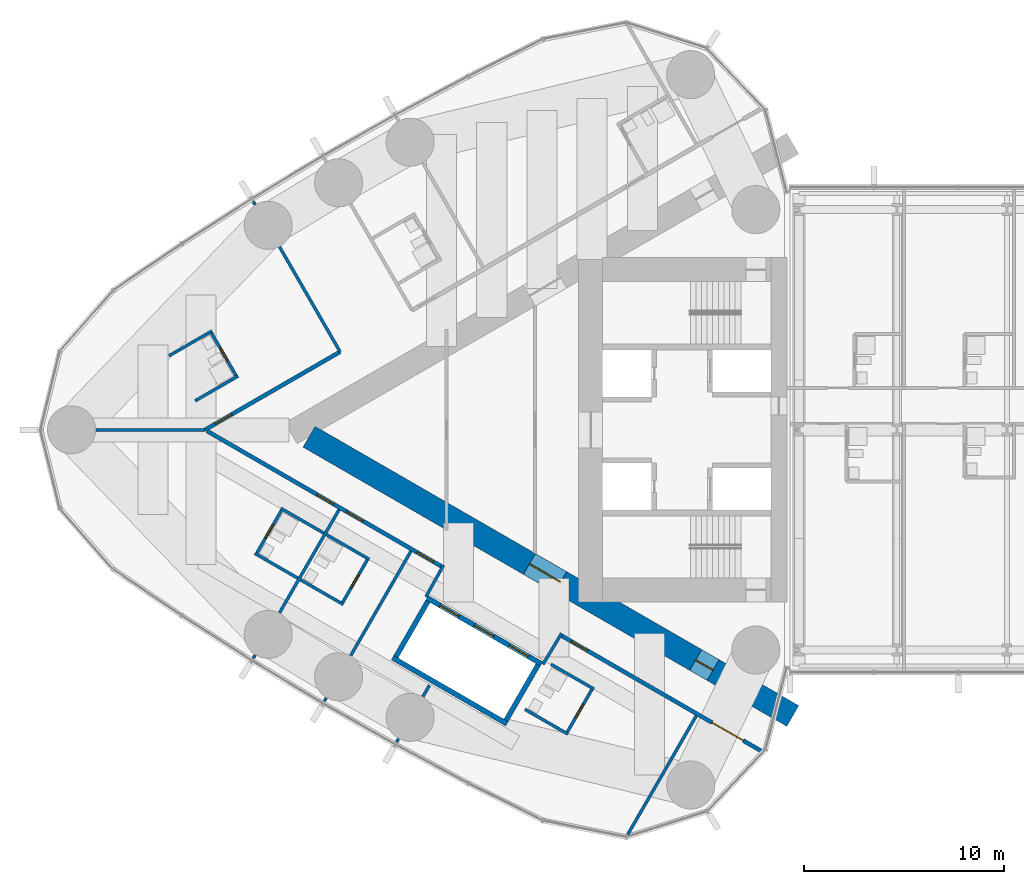
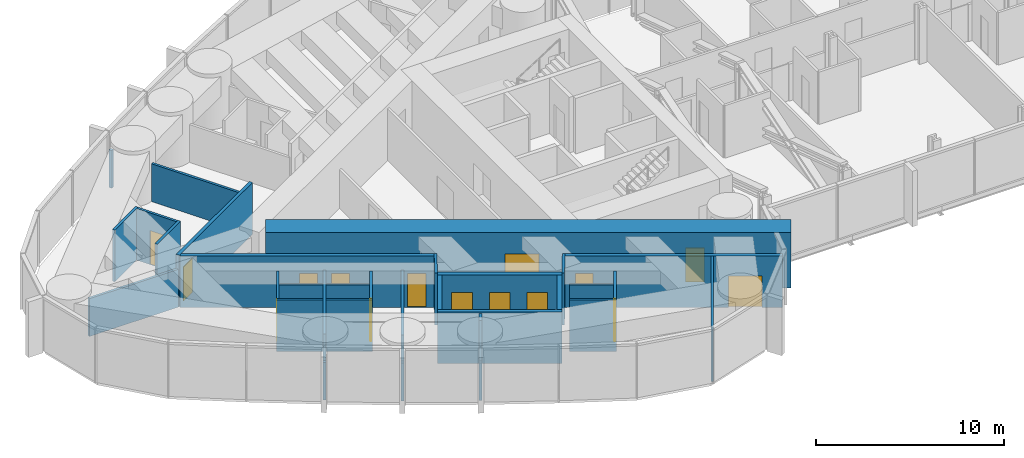
# One storey, part 14 of 22: 32 walls, 15 doors, 15 openings.
"""IFC4 building model written with IfcOpenShell, lengths in metres."""

from ifc_helpers import new_model, si_unit, direction, frame, frame_2d, origin, place, context, subcontext, project, spatial, rectangle, extrude, material, layer, layer_set, type_object, element, fill, save


model = new_model("IFC4")

# Units and contexts
model_context = context("Model", 3, precision=1e-05, world=origin(), true_north=direction((0.0, 1.0)))
body_context = subcontext(model_context, "Body", "Model", "MODEL_VIEW")
ifc_project = project(units=[si_unit("LENGTHUNIT", "METRE"), si_unit("AREAUNIT", "SQUARE_METRE"), si_unit("VOLUMEUNIT", "CUBIC_METRE"), si_unit("PLANEANGLEUNIT", "RADIAN"), si_unit("MASSUNIT", "GRAM", prefix="KILO")], contexts=[model_context])

# Site, building, storey
site_placement = place(None, origin())
site = spatial("IfcSite", under=ifc_project, at=site_placement, CompositionType="ELEMENT")
building_placement = place(site_placement, origin())
building = spatial("IfcBuilding", under=site, at=building_placement, Name="Lancet Gate Hotel", CompositionType="ELEMENT")
storey_placement = place(building_placement, frame((0.0, 0.0, 226.10009765625)))
storey = spatial("IfcBuildingStorey", under=building, at=storey_placement, Name="L60", CompositionType="ELEMENT", Elevation=226.10009765625)

# Wall
ifc_material_1 = material(Name="Moisture resistant board partition")
ifc_layer_1 = layer(ifc_material_1, 0.14990234375)
ifc_layer_set_1 = layer_set([ifc_layer_1], Name="Bathroom wall 150")
wall_type_1 = type_object("IfcWallType", Name="Bathroom wall 150", PredefinedType="PARTITIONING", material=ifc_layer_set_1)
wall_1_placement = place(storey_placement, frame((-56.215087890625, 4.938232421875, 0.0), z_axis=(0.0, 0.0, 1.0), x_axis=(-0.866006523861, -0.500032699561, 0.0)))
element("IfcWall", 1, at=wall_1_placement, inside=storey, type_object=wall_type_1, Name="T1 bathroom wall 150 L60", PredefinedType="PARTITIONING", context=body_context, shape_type="SweptSolid", body=[
    extrude(rectangle(XDim=2.474853515625, YDim=0.14990234375, at=frame_2d((1.2373046875, 0.0))), origin(), (0.0, 0.0, 1.0), 3.349853515625),
])

# Wall, opening, door
wall_2_placement = place(storey_placement, frame((-54.97998046875, 2.64892578125, 0.0), z_axis=(0.0, 0.0, 1.0), x_axis=(-0.500006934395, 0.866021400173, 0.0)))
wall_2 = element("IfcWall", 2, at=wall_2_placement, inside=storey, type_object=wall_type_1, Name="T1 bathroom wall 150 L60", PredefinedType="PARTITIONING", context=body_context, shape_type="SweptSolid", body=[
    extrude(rectangle(XDim=2.60009765625, YDim=0.14990234375, at=frame_2d((1.300048828125, 0.0))), origin(), (0.0, 0.0, 1.0), 3.349853515625),
])
opening_1_placement = place(wall_2_placement, frame((0.89990234375, 0.0, 0.0)))
opening_1 = element("IfcOpeningElement", 3, at=opening_1_placement, cuts=wall_2, Name="Opening 6005-B", PredefinedType="OPENING", context=body_context, shape_type="SweptSolid", body=[
    extrude(rectangle(XDim=0.800048828125, YDim=2.199951171875, at=frame_2d((0.39990234375, 1.10009765625))), frame((0.0, 0.0849609375, 0.0), z_axis=(0.0, -1.0, 0.0), x_axis=(1.0, 0.0, 0.0)), (0.0, 0.0, 1.0), 0.169921875),
])
ifc_material_2 = material(Name="Timber door set", Category="wood")
door_type_1 = type_object("IfcDoorType", Name="Bathroom door 800", OperationType="SINGLE_SWING_RIGHT", PredefinedType="DOOR", material=ifc_material_2)
door_1_placement = place(opening_1_placement, origin())
door_1 = element("IfcDoor", 4, at=door_1_placement, inside=storey, type_object=door_type_1, Name="6005-B", OperationType="SINGLE_SWING_RIGHT", OverallHeight=2.199951171875, OverallWidth=0.800048828125, PredefinedType="DOOR", context=body_context, shape_type="SweptSolid", body=[
    extrude(rectangle(XDim=0.800048828125, YDim=2.199951171875, at=frame_2d((0.39990234375, 1.10009765625))), frame((0.0, 0.02490234375, 0.0), z_axis=(0.0, -1.0, 0.0), x_axis=(1.0, 0.0, 0.0)), (0.0, 0.0, 1.0), 0.050048828125),
])
fill(opening_1, door_1)

# Walls
for number, where, z_axis, x_axis, name in (
    (5, (-54.9150390625, 2.6865234375, 0.0), (0.0, 0.0, 1.0), (-0.866006523861, -0.500032699561, 0.0), "T1 bathroom wall 150 L60"),
    (6, (-51.931396484375, -7.411376953125, 0.0), (0.0, 0.0, 1.0), (-0.866006523861, 0.500032699561, 0.0), "T1 bathroom wall 150 L60"),
):
    element("IfcWall", number, at=place(storey_placement, frame(where, z_axis=z_axis, x_axis=x_axis)), inside=storey, type_object=wall_type_1, Name=name, PredefinedType="PARTITIONING", context=body_context, shape_type="SweptSolid", body=[
        extrude(rectangle(XDim=2.474853515625, YDim=0.14990234375, at=frame_2d((1.2373046875, 0.0))), origin(), (0.0, 0.0, 1.0), 3.349853515625),
    ])

# Wall, opening, door
wall_3_placement = place(storey_placement, frame((-52.709716796875, -3.959716796875, 0.0), z_axis=(0.0, 0.0, 1.0), x_axis=(-0.500006934395, -0.866021400173, 0.0)))
wall_3 = element("IfcWall", 7, at=wall_3_placement, inside=storey, type_object=wall_type_1, Name="T1 bathroom wall 150 L60", PredefinedType="PARTITIONING", context=body_context, shape_type="SweptSolid", body=[
    extrude(rectangle(XDim=2.60009765625, YDim=0.14990234375, at=frame_2d((1.300048828125, 0.0))), origin(), (0.0, 0.0, 1.0), 3.349853515625),
])
opening_2_placement = place(wall_3_placement, frame((0.89990234375, 0.0, 0.0)))
opening_2 = element("IfcOpeningElement", 8, at=opening_2_placement, cuts=wall_3, Name="Opening 6006-B", PredefinedType="OPENING", context=body_context, shape_type="SweptSolid", body=[
    extrude(rectangle(XDim=0.800048828125, YDim=2.199951171875, at=frame_2d((0.39990234375, 1.10009765625))), frame((0.0, 0.0849609375, 0.0), z_axis=(0.0, -1.0, 0.0), x_axis=(1.0, 0.0, 0.0)), (0.0, 0.0, 1.0), 0.169921875),
])
door_2_placement = place(opening_2_placement, origin())
door_2 = element("IfcDoor", 9, at=door_2_placement, inside=storey, type_object=door_type_1, Name="6006-B", OperationType="SINGLE_SWING_RIGHT", OverallHeight=2.199951171875, OverallWidth=0.800048828125, PredefinedType="DOOR", context=body_context, shape_type="SweptSolid", body=[
    extrude(rectangle(XDim=0.800048828125, YDim=2.199951171875, at=frame_2d((0.39990234375, 1.10009765625))), frame((0.0, 0.02490234375, 0.0), z_axis=(0.0, -1.0, 0.0), x_axis=(1.0, 0.0, 0.0)), (0.0, 0.0, 1.0), 0.050048828125),
])
fill(opening_2, door_2)

# Walls
wall_4_placement = place(storey_placement, frame((-50.63134765625, -5.15966796875, 0.0), z_axis=(0.0, 0.0, 1.0), x_axis=(-0.86604923931, 0.499958713387, 0.0)))
element("IfcWall", 10, at=wall_4_placement, inside=storey, type_object=wall_type_1, Name="T1 bathroom wall 150 L60", PredefinedType="PARTITIONING", context=body_context, shape_type="SweptSolid", body=[
    extrude(rectangle(XDim=2.474853515625, YDim=0.14990234375, at=frame_2d((1.2373046875, 0.0))), origin(), (0.0, 0.0, 1.0), 2.5),
])
wall_5_placement = place(storey_placement, frame((-49.657958984375, -8.723876953125, 0.0), z_axis=(0.0, 0.0, 1.0), x_axis=(-0.866031185235, 0.4999899861, 0.0)))
element("IfcWall", 11, at=wall_5_placement, inside=storey, type_object=wall_type_1, Name="T1 bathroom wall 150 L60", PredefinedType="PARTITIONING", context=body_context, shape_type="SweptSolid", body=[
    extrude(rectangle(XDim=2.47509765625, YDim=0.14990234375, at=frame_2d((1.237548828125, 0.0))), origin(), (0.0, 0.0, 1.0), 3.349853515625),
])

# Wall, opening, door
wall_6_placement = place(storey_placement, frame((-48.4228515625, -6.434814453125, 0.0), z_axis=(0.0, 0.0, 1.0), x_axis=(-0.500006934395, -0.866021400173, 0.0)))
wall_6 = element("IfcWall", 12, at=wall_6_placement, inside=storey, type_object=wall_type_1, Name="T1 bathroom wall 150 L60", PredefinedType="PARTITIONING", context=body_context, shape_type="SweptSolid", body=[
    extrude(rectangle(XDim=2.60009765625, YDim=0.14990234375, at=frame_2d((1.300048828125, 0.0))), origin(), (0.0, 0.0, 1.0), 3.349853515625),
])
opening_3_placement = place(wall_6_placement, frame((0.89990234375, 0.0, 0.0)))
opening_3 = element("IfcOpeningElement", 13, at=opening_3_placement, cuts=wall_6, Name="Opening 6007-B", PredefinedType="OPENING", context=body_context, shape_type="SweptSolid", body=[
    extrude(rectangle(XDim=0.800048828125, YDim=2.199951171875, at=frame_2d((0.39990234375, 1.10009765625))), frame((0.0, 0.0849609375, 0.0), z_axis=(0.0, -1.0, 0.0), x_axis=(1.0, 0.0, 0.0)), (0.0, 0.0, 1.0), 0.169921875),
])
door_3_placement = place(opening_3_placement, origin())
door_3 = element("IfcDoor", 14, at=door_3_placement, inside=storey, type_object=door_type_1, Name="6007-B", OperationType="SINGLE_SWING_RIGHT", OverallHeight=2.199951171875, OverallWidth=0.800048828125, PredefinedType="DOOR", context=body_context, shape_type="SweptSolid", body=[
    extrude(rectangle(XDim=0.800048828125, YDim=2.199951171875, at=frame_2d((0.39990234375, 1.10009765625))), frame((0.0, 0.02490234375, 0.0), z_axis=(0.0, -1.0, 0.0), x_axis=(1.0, 0.0, 0.0)), (0.0, 0.0, 1.0), 0.050048828125),
])
fill(opening_3, door_3)

# Walls
wall_7_placement = place(storey_placement, frame((-48.35791015625, -6.47216796875, 0.0), z_axis=(0.0, 0.0, 1.0), x_axis=(-0.866073894602, 0.499916002032, 0.0)))
element("IfcWall", 15, at=wall_7_placement, inside=storey, type_object=wall_type_1, Name="T1 bathroom wall 150 L60", PredefinedType="PARTITIONING", context=body_context, shape_type="SweptSolid", body=[
    extrude(rectangle(XDim=2.47509765625, YDim=0.14990234375, at=frame_2d((1.237548828125, 0.0))), origin(), (0.0, 0.0, 1.0), 2.5),
])
wall_8_placement = place(storey_placement, frame((-38.43798828125, -15.20166015625, 0.0), z_axis=(0.0, 0.0, 1.0), x_axis=(-0.866073894602, 0.499916002032, 0.0)))
element("IfcWall", 16, at=wall_8_placement, inside=storey, type_object=wall_type_1, Name="T1 bathroom wall 150 L60", PredefinedType="PARTITIONING", context=body_context, shape_type="SweptSolid", body=[
    extrude(rectangle(XDim=2.47509765625, YDim=0.14990234375, at=frame_2d((1.237548828125, 0.0))), origin(), (0.0, 0.0, 1.0), 3.349853515625),
])

# Wall, opening, door
wall_9_placement = place(storey_placement, frame((-37.202880859375, -12.91259765625, 0.0), z_axis=(0.0, 0.0, 1.0), x_axis=(-0.500006934395, -0.866021400173, 0.0)))
wall_9 = element("IfcWall", 17, at=wall_9_placement, inside=storey, type_object=wall_type_1, Name="T1 bathroom wall 150 L60", PredefinedType="PARTITIONING", context=body_context, shape_type="SweptSolid", body=[
    extrude(rectangle(XDim=2.60009765625, YDim=0.14990234375, at=frame_2d((1.300048828125, 0.0))), origin(), (0.0, 0.0, 1.0), 3.349853515625),
])
opening_4_placement = place(wall_9_placement, frame((0.89990234375, 0.0, 0.0)))
opening_4 = element("IfcOpeningElement", 18, at=opening_4_placement, cuts=wall_9, Name="Opening 6009-B", PredefinedType="OPENING", context=body_context, shape_type="SweptSolid", body=[
    extrude(rectangle(XDim=0.800048828125, YDim=2.199951171875, at=frame_2d((0.39990234375, 1.10009765625))), frame((0.0, 0.0849609375, 0.0), z_axis=(0.0, -1.0, 0.0), x_axis=(1.0, 0.0, 0.0)), (0.0, 0.0, 1.0), 0.169921875),
])
door_4_placement = place(opening_4_placement, origin())
door_4 = element("IfcDoor", 19, at=door_4_placement, inside=storey, type_object=door_type_1, Name="6009-B", OperationType="SINGLE_SWING_RIGHT", OverallHeight=2.199951171875, OverallWidth=0.800048828125, PredefinedType="DOOR", context=body_context, shape_type="SweptSolid", body=[
    extrude(rectangle(XDim=0.800048828125, YDim=2.199951171875, at=frame_2d((0.39990234375, 1.10009765625))), frame((0.0, 0.02490234375, 0.0), z_axis=(0.0, -1.0, 0.0), x_axis=(1.0, 0.0, 0.0)), (0.0, 0.0, 1.0), 0.050048828125),
])
fill(opening_4, door_4)

# Wall
wall_10_placement = place(storey_placement, frame((-37.137939453125, -12.9501953125, 0.0), z_axis=(0.0, 0.0, 1.0), x_axis=(-0.866031185235, 0.4999899861, 0.0)))
element("IfcWall", 20, at=wall_10_placement, inside=storey, type_object=wall_type_1, Name="T1 bathroom wall 150 L60", PredefinedType="PARTITIONING", context=body_context, shape_type="SweptSolid", body=[
    extrude(rectangle(XDim=2.47509765625, YDim=0.14990234375, at=frame_2d((1.237548828125, 0.0))), origin(), (0.0, 0.0, 1.0), 2.5),
])

# Wall, openings, doors
ifc_material_3 = material(Name="Concrete C70/85", Category="concrete")
ifc_layer_2 = layer(ifc_material_3, 1.199951171875)
ifc_layer_set_2 = layer_set([ifc_layer_2], Name="Buttress wall 1200")
wall_type_2 = type_object("IfcWallType", Name="Buttress wall 1200", PredefinedType="SHEAR", material=ifc_layer_set_2)
wall_11_placement = place(storey_placement, frame((-27.199951171875, -14.300048828125, 0.0), z_axis=(0.0, 0.0, 1.0), x_axis=(-0.866024021859, 0.500002393557, 0.0)))
wall_11 = element("IfcWall", 21, at=wall_11_placement, inside=storey, type_object=wall_type_2, Name="T1 buttress wall N L60", PredefinedType="SHEAR", context=body_context, shape_type="SweptSolid", body=[
    extrude(rectangle(XDim=27.906982421875, YDim=1.199951171875, at=frame_2d((13.95361328125, 0.0))), origin(), (0.0, 0.0, 1.0), 3.599853515625),
])
opening_5_placement = place(wall_11_placement, frame((4.60009765625, 0.0, 0.0)))
opening_5 = element("IfcOpeningElement", 22, at=opening_5_placement, cuts=wall_11, Name="Opening T1-L60-LN", PredefinedType="OPENING", context=body_context, shape_type="SweptSolid", body=[
    extrude(rectangle(XDim=1.0, YDim=2.199951171875, at=frame_2d((0.5, 1.10009765625))), frame((0.0, 0.60986328125, 0.0), z_axis=(0.0, -1.0, 0.0), x_axis=(1.0, 0.0, 0.0)), (0.0, 0.0, 1.0), 1.219970703125),
])
opening_6_placement = place(wall_11_placement, frame((13.39453125, 0.0, 0.0)))
opening_6 = element("IfcOpeningElement", 23, at=opening_6_placement, cuts=wall_11, Name="Opening T1-L60-LHN", PredefinedType="OPENING", context=body_context, shape_type="SweptSolid", body=[
    extrude(rectangle(XDim=1.800048828125, YDim=2.199951171875, at=frame_2d((0.89990234375, 1.10009765625))), frame((0.0, 0.60986328125, 0.0), z_axis=(0.0, -1.0, 0.0), x_axis=(1.0, 0.0, 0.0)), (0.0, 0.0, 1.0), 1.219970703125),
])
ifc_material_4 = material(Name="Timber door set", Category="wood")
door_type_2 = type_object("IfcDoorType", Name="Lobby double door 1800", OperationType="DOUBLE_DOOR_SINGLE_SWING", PredefinedType="DOOR", material=ifc_material_4)
door_5_placement = place(opening_6_placement, origin())
door_5 = element("IfcDoor", 24, at=door_5_placement, inside=storey, type_object=door_type_2, Name="T1-L60-LHN", OperationType="DOUBLE_DOOR_SINGLE_SWING", OverallHeight=2.199951171875, OverallWidth=1.800048828125, PredefinedType="DOOR", context=body_context, shape_type="SweptSolid", body=[
    extrude(rectangle(XDim=1.800048828125, YDim=2.199951171875, at=frame_2d((0.89990234375, 1.10009765625))), frame((0.0, 0.02490234375, 0.0), z_axis=(0.0, -1.0, 0.0), x_axis=(1.0, 0.0, 0.0)), (0.0, 0.0, 1.0), 0.050048828125),
])
fill(opening_6, door_5)
ifc_material_5 = material(Name="Timber door set", Category="wood")
door_type_3 = type_object("IfcDoorType", Name="Stair lobby door 1000", OperationType="SINGLE_SWING_LEFT", PredefinedType="DOOR", material=ifc_material_5)
door_6_placement = place(opening_5_placement, origin())
door_6 = element("IfcDoor", 25, at=door_6_placement, inside=storey, type_object=door_type_3, Name="T1-L60-LN", OperationType="SINGLE_SWING_LEFT", OverallHeight=2.199951171875, OverallWidth=1.0, PredefinedType="DOOR", context=body_context, shape_type="SweptSolid", body=[
    extrude(rectangle(XDim=1.0, YDim=2.199951171875, at=frame_2d((0.5, 1.10009765625))), frame((0.0, 0.02490234375, 0.0), z_axis=(0.0, -1.0, 0.0), x_axis=(1.0, 0.0, 0.0)), (0.0, 0.0, 1.0), 0.050048828125),
])
fill(opening_5, door_6)

ifc_material_6 = material(Name="Gypsum board partition")
ifc_layer_3 = layer(ifc_material_6, 0.199951171875)
ifc_layer_set_3 = layer_set([ifc_layer_3], Name="Corridor wall 200")
wall_type_3 = type_object("IfcWallType", Name="Corridor wall 200", PredefinedType="PARTITIONING", material=ifc_layer_set_3)
wall_12_placement = place(storey_placement, frame((-28.737060546875, -16.068359375, 0.0), z_axis=(0.0, 0.0, 1.0), x_axis=(-0.866029399323, 0.49999307946, 0.0)))
wall_12 = element("IfcWall", 26, at=wall_12_placement, inside=storey, type_object=wall_type_3, Name="T1 corridor wall 200 L60", PredefinedType="PARTITIONING", context=body_context, shape_type="SweptSolid", body=[
    extrude(rectangle(XDim=11.609619140625, YDim=0.199951171875, at=frame_2d((5.8046875, 0.0))), origin(), (0.0, 0.0, 1.0), 3.349853515625),
])
opening_7_placement = place(wall_12_placement, frame((1.080078125, 0.0, 0.0)))
opening_7 = element("IfcOpeningElement", 27, at=opening_7_placement, cuts=wall_12, Name="Opening 6010-E", PredefinedType="OPENING", context=body_context, shape_type="SweptSolid", body=[
    extrude(rectangle(XDim=1.800048828125, YDim=2.0400390625, at=frame_2d((0.89990234375, 1.02001953125))), frame((0.0, 0.10986328125, 0.0), z_axis=(0.0, -1.0, 0.0), x_axis=(1.0, 0.0, 0.0)), (0.0, 0.0, 1.0), 0.219970703125),
])
opening_8_placement = place(wall_12_placement, frame((10.0595703125, 0.0, 0.0)))
opening_8 = element("IfcOpeningElement", 28, at=opening_8_placement, cuts=wall_12, Name="Opening 6009-E", PredefinedType="OPENING", context=body_context, shape_type="SweptSolid", body=[
    extrude(rectangle(XDim=0.949951171875, YDim=2.199951171875, at=frame_2d((0.47509765625, 1.10009765625))), frame((0.0, 0.10986328125, 0.0), z_axis=(0.0, -1.0, 0.0), x_axis=(1.0, 0.0, 0.0)), (0.0, 0.0, 1.0), 0.219970703125),
])
ifc_material_7 = material(Name="Timber door set", Category="wood")
door_type_4 = type_object("IfcDoorType", Name="Double door 1800, 2040 high", OperationType="DOUBLE_DOOR_SINGLE_SWING", PredefinedType="DOOR", material=ifc_material_7)
door_7_placement = place(opening_7_placement, origin())
door_7 = element("IfcDoor", 29, at=door_7_placement, inside=storey, type_object=door_type_4, Name="6010-E", OperationType="DOUBLE_DOOR_SINGLE_SWING", OverallHeight=2.0400390625, OverallWidth=1.800048828125, PredefinedType="DOOR", context=body_context, shape_type="SweptSolid", body=[
    extrude(rectangle(XDim=1.800048828125, YDim=2.0400390625, at=frame_2d((0.89990234375, 1.02001953125))), frame((0.0, 0.02490234375, 0.0), z_axis=(0.0, -1.0, 0.0), x_axis=(1.0, 0.0, 0.0)), (0.0, 0.0, 1.0), 0.050048828125),
])
fill(opening_7, door_7)
ifc_material_8 = material(Name="Timber door set", Category="wood")
door_type_5 = type_object("IfcDoorType", Name="Guest room entry door 950", OperationType="SINGLE_SWING_LEFT", PredefinedType="DOOR", material=ifc_material_8)
door_8_placement = place(opening_8_placement, origin())
door_8 = element("IfcDoor", 30, at=door_8_placement, inside=storey, type_object=door_type_5, Name="6009-E", OperationType="SINGLE_SWING_LEFT", OverallHeight=2.199951171875, OverallWidth=0.949951171875, PredefinedType="DOOR", context=body_context, shape_type="SweptSolid", body=[
    extrude(rectangle(XDim=0.949951171875, YDim=2.199951171875, at=frame_2d((0.47509765625, 1.10009765625))), frame((0.0, 0.02490234375, 0.0), z_axis=(0.0, -1.0, 0.0), x_axis=(1.0, 0.0, 0.0)), (0.0, 0.0, 1.0), 0.050048828125),
])
fill(opening_8, door_8)

wall_13_placement = place(storey_placement, frame((-44.715087890625, -6.843505859375, 0.0), z_axis=(0.0, 0.0, 1.0), x_axis=(-0.866025261224, 0.500000246922, 0.0)))
wall_13 = element("IfcWall", 31, at=wall_13_placement, inside=storey, type_object=wall_type_3, Name="T1 corridor wall 200 L60", PredefinedType="PARTITIONING", context=body_context, shape_type="SweptSolid", body=[
    extrude(rectangle(XDim=13.56689453125, YDim=0.199951171875, at=frame_2d((6.783447265625, 0.0))), origin(), (0.0, 0.0, 1.0), 3.349853515625),
])
opening_9_placement = place(wall_13_placement, frame((6.265625, 0.0, 0.0)))
opening_9 = element("IfcOpeningElement", 32, at=opening_9_placement, cuts=wall_13, Name="Opening 6006-E", PredefinedType="OPENING", context=body_context, shape_type="SweptSolid", body=[
    extrude(rectangle(XDim=0.949951171875, YDim=2.199951171875, at=frame_2d((0.47509765625, 1.10009765625))), frame((0.0, 0.10986328125, 0.0), z_axis=(0.0, -1.0, 0.0), x_axis=(1.0, 0.0, 0.0)), (0.0, 0.0, 1.0), 0.219970703125),
])
opening_10_placement = place(wall_13_placement, frame((4.5654296875, 0.0, 0.0)))
opening_10 = element("IfcOpeningElement", 33, at=opening_10_placement, cuts=wall_13, Name="Opening 6007-E", PredefinedType="OPENING", context=body_context, shape_type="SweptSolid", body=[
    extrude(rectangle(XDim=0.949951171875, YDim=2.199951171875, at=frame_2d((0.47509765625, 1.10009765625))), frame((0.0, 0.10986328125, 0.0), z_axis=(0.0, -1.0, 0.0), x_axis=(1.0, 0.0, 0.0)), (0.0, 0.0, 1.0), 0.219970703125),
])
opening_11_placement = place(wall_13_placement, frame((0.5, 0.0, 0.0)))
opening_11 = element("IfcOpeningElement", 34, at=opening_11_placement, cuts=wall_13, Name="Opening T1-L60-LO1", PredefinedType="OPENING", context=body_context, shape_type="SweptSolid", body=[
    extrude(rectangle(XDim=0.967041015625, YDim=2.199951171875, at=frame_2d((0.4833984375, 1.10009765625))), frame((0.0, 0.10986328125, 0.0), z_axis=(0.0, -1.0, 0.0), x_axis=(1.0, 0.0, 0.0)), (0.0, 0.0, 1.0), 0.219970703125),
])
door_9_placement = place(opening_9_placement, origin())
door_9 = element("IfcDoor", 35, at=door_9_placement, inside=storey, type_object=door_type_5, Name="6006-E", OperationType="SINGLE_SWING_LEFT", OverallHeight=2.199951171875, OverallWidth=0.949951171875, PredefinedType="DOOR", context=body_context, shape_type="SweptSolid", body=[
    extrude(rectangle(XDim=0.949951171875, YDim=2.199951171875, at=frame_2d((0.47509765625, 1.10009765625))), frame((0.0, 0.02490234375, 0.0), z_axis=(0.0, -1.0, 0.0), x_axis=(1.0, 0.0, 0.0)), (0.0, 0.0, 1.0), 0.050048828125),
])
fill(opening_9, door_9)
door_10_placement = place(opening_10_placement, origin())
door_10 = element("IfcDoor", 36, at=door_10_placement, inside=storey, type_object=door_type_5, Name="6007-E", OperationType="SINGLE_SWING_LEFT", OverallHeight=2.199951171875, OverallWidth=0.949951171875, PredefinedType="DOOR", context=body_context, shape_type="SweptSolid", body=[
    extrude(rectangle(XDim=0.949951171875, YDim=2.199951171875, at=frame_2d((0.47509765625, 1.10009765625))), frame((0.0, 0.02490234375, 0.0), z_axis=(0.0, -1.0, 0.0), x_axis=(1.0, 0.0, 0.0)), (0.0, 0.0, 1.0), 0.050048828125),
])
fill(opening_10, door_10)
door_11_placement = place(opening_11_placement, origin())
door_11 = element("IfcDoor", 37, at=door_11_placement, inside=storey, type_object=door_type_5, Name="T1-L60-LO1", OperationType="SINGLE_SWING_LEFT", OverallHeight=2.199951171875, OverallWidth=0.967041015625, PredefinedType="DOOR", context=body_context, shape_type="SweptSolid", body=[
    extrude(rectangle(XDim=0.967041015625, YDim=2.199951171875, at=frame_2d((0.4833984375, 1.10009765625))), frame((0.0, 0.02490234375, 0.0), z_axis=(0.0, -1.0, 0.0), x_axis=(1.0, 0.0, 0.0)), (0.0, 0.0, 1.0), 0.050048828125),
])
fill(opening_11, door_11)

# Wall, opening, door
wall_14_placement = place(storey_placement, frame((-49.81640625, 3.898193359375, 0.0), z_axis=(0.0, 0.0, 1.0), x_axis=(-0.866028102716, -0.499995325284, 0.0)))
wall_14 = element("IfcWall", 38, at=wall_14_placement, inside=storey, type_object=wall_type_3, Name="T1 corridor wall 200 L60", PredefinedType="PARTITIONING", context=body_context, shape_type="SweptSolid", body=[
    extrude(rectangle(XDim=7.79638671875, YDim=0.199951171875, at=frame_2d((3.898193359375, 0.0))), origin(), (0.0, 0.0, 1.0), 3.349853515625),
])
opening_12_placement = place(wall_14_placement, frame((6.246337890625, 0.0, 0.0)))
opening_12 = element("IfcOpeningElement", 39, at=opening_12_placement, cuts=wall_14, Name="Opening 6005-E", PredefinedType="OPENING", context=body_context, shape_type="SweptSolid", body=[
    extrude(rectangle(XDim=0.949951171875, YDim=2.199951171875, at=frame_2d((0.47509765625, 1.10009765625))), frame((0.0, 0.10986328125, 0.0), z_axis=(0.0, -1.0, 0.0), x_axis=(1.0, 0.0, 0.0)), (0.0, 0.0, 1.0), 0.219970703125),
])
door_12_placement = place(opening_12_placement, origin())
door_12 = element("IfcDoor", 40, at=door_12_placement, inside=storey, type_object=door_type_5, Name="6005-E", OperationType="SINGLE_SWING_LEFT", OverallHeight=2.199951171875, OverallWidth=0.949951171875, PredefinedType="DOOR", context=body_context, shape_type="SweptSolid", body=[
    extrude(rectangle(XDim=0.949951171875, YDim=2.199951171875, at=frame_2d((0.47509765625, 1.10009765625))), frame((0.0, 0.02490234375, 0.0), z_axis=(0.0, -1.0, 0.0), x_axis=(1.0, 0.0, 0.0)), (0.0, 0.0, 1.0), 0.050048828125),
])
fill(opening_12, door_12)

# Wall, openings, doors
ifc_material_9 = material(Name="Gypsum board partition")
ifc_layer_4 = layer(ifc_material_9, 0.25)
ifc_layer_set_4 = layer_set([ifc_layer_4], Name="Lift shaft partition 250")
wall_type_4 = type_object("IfcWallType", Name="Lift shaft partition 250", PredefinedType="PARTITIONING", material=ifc_layer_set_4)
wall_15_placement = place(storey_placement, frame((-39.757568359375, -11.697265625, 0.0), z_axis=(0.0, 0.0, 1.0), x_axis=(-0.866024194504, 0.500002094529, 0.0)))
wall_15 = element("IfcWall", 41, at=wall_15_placement, inside=storey, type_object=wall_type_4, Name="T1 lift shaft wall HL L60", PredefinedType="PARTITIONING", context=body_context, shape_type="SweptSolid", body=[
    extrude(rectangle(XDim=6.60009765625, YDim=0.25, at=frame_2d((3.300048828125, 0.0))), origin(), (0.0, 0.0, 1.0), 3.349853515625),
])
opening_13_placement = place(wall_15_placement, frame((0.75, 0.0, 0.0)))
opening_13 = element("IfcOpeningElement", 42, at=opening_13_placement, cuts=wall_15, Name="Opening T1-HL1-L60", PredefinedType="OPENING", context=body_context, shape_type="SweptSolid", body=[
    extrude(rectangle(XDim=1.10009765625, YDim=2.199951171875, at=frame_2d((0.550048828125, 1.10009765625))), frame((0.0, 0.135009765625, 0.0), z_axis=(0.0, -1.0, 0.0), x_axis=(1.0, 0.0, 0.0)), (0.0, 0.0, 1.0), 0.27001953125),
])
opening_14_placement = place(wall_15_placement, frame((2.75, 0.0, 0.0)))
opening_14 = element("IfcOpeningElement", 43, at=opening_14_placement, cuts=wall_15, Name="Opening T1-HL2-L60", PredefinedType="OPENING", context=body_context, shape_type="SweptSolid", body=[
    extrude(rectangle(XDim=1.10009765625, YDim=2.199951171875, at=frame_2d((0.550048828125, 1.10009765625))), frame((0.0, 0.135009765625, 0.0), z_axis=(0.0, -1.0, 0.0), x_axis=(1.0, 0.0, 0.0)), (0.0, 0.0, 1.0), 0.27001953125),
])
opening_15_placement = place(wall_15_placement, frame((4.75, 0.0, 0.0)))
opening_15 = element("IfcOpeningElement", 44, at=opening_15_placement, cuts=wall_15, Name="Opening T1-HL3-L60", PredefinedType="OPENING", context=body_context, shape_type="SweptSolid", body=[
    extrude(rectangle(XDim=1.10009765625, YDim=2.199951171875, at=frame_2d((0.550048828125, 1.10009765625))), frame((0.0, 0.135009765625, 0.0), z_axis=(0.0, -1.0, 0.0), x_axis=(1.0, 0.0, 0.0)), (0.0, 0.0, 1.0), 0.27001953125),
])
ifc_material_10 = material(Name="Steel door set", Category="steel")
door_type_6 = type_object("IfcDoorType", Name="Lift landing door 1100", OperationType="DOUBLE_DOOR_SLIDING", PredefinedType="USERDEFINED", material=ifc_material_10)
door_13_placement = place(opening_13_placement, origin())
door_13 = element("IfcDoor", 45, at=door_13_placement, inside=storey, type_object=door_type_6, Name="T1-HL1-L60", ObjectType="LIFT LANDING DOOR", OperationType="DOUBLE_DOOR_SLIDING", OverallHeight=2.199951171875, OverallWidth=1.10009765625, PredefinedType="USERDEFINED", context=body_context, shape_type="SweptSolid", body=[
    extrude(rectangle(XDim=1.10009765625, YDim=2.199951171875, at=frame_2d((0.550048828125, 1.10009765625))), frame((0.0, 0.02490234375, 0.0), z_axis=(0.0, -1.0, 0.0), x_axis=(1.0, 0.0, 0.0)), (0.0, 0.0, 1.0), 0.050048828125),
])
fill(opening_13, door_13)
door_14_placement = place(opening_14_placement, origin())
door_14 = element("IfcDoor", 46, at=door_14_placement, inside=storey, type_object=door_type_6, Name="T1-HL2-L60", ObjectType="LIFT LANDING DOOR", OperationType="DOUBLE_DOOR_SLIDING", OverallHeight=2.199951171875, OverallWidth=1.10009765625, PredefinedType="USERDEFINED", context=body_context, shape_type="SweptSolid", body=[
    extrude(rectangle(XDim=1.10009765625, YDim=2.199951171875, at=frame_2d((0.550048828125, 1.10009765625))), frame((0.0, 0.02490234375, 0.0), z_axis=(0.0, -1.0, 0.0), x_axis=(1.0, 0.0, 0.0)), (0.0, 0.0, 1.0), 0.050048828125),
])
fill(opening_14, door_14)
door_15_placement = place(opening_15_placement, origin())
door_15 = element("IfcDoor", 47, at=door_15_placement, inside=storey, type_object=door_type_6, Name="T1-HL3-L60", ObjectType="LIFT LANDING DOOR", OperationType="DOUBLE_DOOR_SLIDING", OverallHeight=2.199951171875, OverallWidth=1.10009765625, PredefinedType="USERDEFINED", context=body_context, shape_type="SweptSolid", body=[
    extrude(rectangle(XDim=1.10009765625, YDim=2.199951171875, at=frame_2d((0.550048828125, 1.10009765625))), frame((0.0, 0.02490234375, 0.0), z_axis=(0.0, -1.0, 0.0), x_axis=(1.0, 0.0, 0.0)), (0.0, 0.0, 1.0), 0.050048828125),
])
fill(opening_15, door_15)

# Walls
wall_16_placement = place(storey_placement, frame((-41.482421875, -14.685791015625, 0.0), z_axis=(0.0, 0.0, 1.0), x_axis=(-0.86603344179, 0.499986077507, 0.0)))
element("IfcWall", 48, at=wall_16_placement, inside=storey, type_object=wall_type_4, Name="T1 lift shaft wall HL L60", PredefinedType="PARTITIONING", context=body_context, shape_type="SweptSolid", body=[
    extrude(rectangle(XDim=6.600341796875, YDim=0.25, at=frame_2d((3.30029296875, 0.0))), origin(), (0.0, 0.0, 1.0), 3.349853515625),
])
for number, where, z_axis, x_axis, name in (
    (49, (-39.92822265625, -11.742919921875, 0.0), (0.0, 0.0, 1.0), (-0.499929347863, -0.866066190972, 0.0), "T1 lift shaft wall HL L60"),
    (50, (-45.427734375, -8.568115234375, 0.0), (0.0, 0.0, 1.0), (-0.499929347863, -0.866066190972, 0.0), "T1 lift shaft wall HL L60"),
):
    element("IfcWall", number, at=place(storey_placement, frame(where, z_axis=z_axis, x_axis=x_axis)), inside=storey, type_object=wall_type_4, Name=name, PredefinedType="PARTITIONING", context=body_context, shape_type="SweptSolid", body=[
        extrude(rectangle(XDim=3.20068359375, YDim=0.25, at=frame_2d((1.600341796875, 0.0))), origin(), (0.0, 0.0, 1.0), 3.349853515625),
    ])
ifc_material_11 = material(Name="Gypsum board partition")
ifc_layer_5 = layer(ifc_material_11, 0.14990234375)
ifc_layer_set_5 = layer_set([ifc_layer_5], Name="Party wall 150")
wall_type_5 = type_object("IfcWallType", Name="Party wall 150", PredefinedType="PARTITIONING", material=ifc_layer_set_5)
wall_17_placement = place(storey_placement, frame((-49.81640625, 3.898193359375, 0.0), z_axis=(0.0, 0.0, 1.0), x_axis=(-0.500001913541, 0.866024298998, 0.0)))
element("IfcWall", 51, at=wall_17_placement, inside=storey, type_object=wall_type_5, Name="T1 party wall 150 L60", PredefinedType="PARTITIONING", context=body_context, shape_type="SweptSolid", body=[
    extrude(rectangle(XDim=6.0498046875, YDim=0.14990234375, at=frame_2d((3.02490234375, 0.0))), origin(), (0.0, 0.0, 1.0), 2.449951171875),
])
wall_18_placement = place(storey_placement, frame((-54.061279296875, 11.25048828125, 0.0), z_axis=(0.0, 0.0, 1.0), x_axis=(-0.500391173478, 0.865799441849, 0.0)))
element("IfcWall", 52, at=wall_18_placement, inside=storey, type_object=wall_type_5, Name="T1 party wall 150 L60", PredefinedType="PARTITIONING", context=body_context, shape_type="SweptSolid", body=[
    extrude(rectangle(XDim=0.178955078125, YDim=0.14990234375, at=frame_2d((0.08935546875, 0.0))), origin(), (0.0, 0.0, 1.0), 2.449951171875),
])
wall_19_placement = place(storey_placement, frame((-32.021728515625, -14.287353515625, 0.0), z_axis=(0.0, 0.0, 1.0), x_axis=(-0.50000019414, -0.866025291697, 0.0)))
element("IfcWall", 53, at=wall_19_placement, inside=storey, type_object=wall_type_5, Name="T1 party wall 150 L60", PredefinedType="PARTITIONING", context=body_context, shape_type="SweptSolid", body=[
    extrude(rectangle(XDim=6.84814453125, YDim=0.14990234375, at=frame_2d((3.424072265625, 0.0))), origin(), (0.0, 0.0, 1.0), 3.349853515625),
])
wall_20_placement = place(storey_placement, frame((-46.89794921875, -15.438720703125, 0.0), z_axis=(0.0, 0.0, 1.0), x_axis=(-0.500232303069, -0.865891241997, 0.0)))
element("IfcWall", 54, at=wall_20_placement, inside=storey, type_object=wall_type_5, Name="T1 party wall 150 L60", PredefinedType="PARTITIONING", context=body_context, shape_type="SweptSolid", body=[
    extrude(rectangle(XDim=0.1796875, YDim=0.14990234375, at=frame_2d((0.08984375, 0.0))), origin(), (0.0, 0.0, 1.0), 2.449951171875),
])
wall_21_placement = place(storey_placement, frame((-46.273681640625, -6.05908203125, 0.0), z_axis=(0.0, 0.0, 1.0), x_axis=(-0.500020471368, -0.866013584312, 0.0)))
element("IfcWall", 55, at=wall_21_placement, inside=storey, type_object=wall_type_5, Name="T1 party wall 150 L60", PredefinedType="PARTITIONING", context=body_context, shape_type="SweptSolid", body=[
    extrude(rectangle(XDim=6.027587890625, YDim=0.14990234375, at=frame_2d((3.013671875, 0.0))), origin(), (0.0, 0.0, 1.0), 2.449951171875),
])
wall_22_placement = place(storey_placement, frame((-50.507568359375, -13.392333984375, 0.0), z_axis=(0.0, 0.0, 1.0), x_axis=(-0.499644091975, -0.866230789891, 0.0)))
element("IfcWall", 56, at=wall_22_placement, inside=storey, type_object=wall_type_5, Name="T1 party wall 150 L60", PredefinedType="PARTITIONING", context=body_context, shape_type="SweptSolid", body=[
    extrude(rectangle(XDim=0.179931640625, YDim=0.14990234375, at=frame_2d((0.08984375, 0.0))), origin(), (0.0, 0.0, 1.0), 2.449951171875),
])
wall_23_placement = place(storey_placement, frame((-49.866455078125, -3.98486328125, 0.0), z_axis=(0.0, 0.0, 1.0), x_axis=(-0.500000694566, -0.866025002776, 0.0)))
element("IfcWall", 57, at=wall_23_placement, inside=storey, type_object=wall_type_5, Name="T1 party wall 150 L60", PredefinedType="PARTITIONING", context=body_context, shape_type="SweptSolid", body=[
    extrude(rectangle(XDim=5.94970703125, YDim=0.14990234375, at=frame_2d((2.974853515625, 0.0))), origin(), (0.0, 0.0, 1.0), 2.449951171875),
])
wall_24_placement = place(storey_placement, frame((-54.061279296875, -11.25048828125, 0.0), z_axis=(0.0, 0.0, 1.0), x_axis=(-0.500391173478, -0.865799441849, 0.0)))
element("IfcWall", 58, at=wall_24_placement, inside=storey, type_object=wall_type_5, Name="T1 party wall 150 L60", PredefinedType="PARTITIONING", context=body_context, shape_type="SweptSolid", body=[
    extrude(rectangle(XDim=0.178955078125, YDim=0.14990234375, at=frame_2d((0.08935546875, 0.0))), origin(), (0.0, 0.0, 1.0), 2.449951171875),
])
wall_25_placement = place(storey_placement, frame((-56.568359375, 0.0, 0.0), z_axis=(0.0, 0.0, 1.0), x_axis=(-1.0, 0.0, 0.0)))
element("IfcWall", 59, at=wall_25_placement, inside=storey, type_object=wall_type_5, Name="T1 party wall 150 L60", PredefinedType="PARTITIONING", context=body_context, shape_type="SweptSolid", body=[
    extrude(rectangle(XDim=5.446044921875, YDim=0.14990234375, at=frame_2d((2.72314453125, 0.0))), origin(), (0.0, 0.0, 1.0), 2.449951171875),
])
wall_26_placement = place(storey_placement, frame((-45.355712890625, -12.767333984375, 0.0), z_axis=(0.0, 0.0, 1.0), x_axis=(-0.499886366516, -0.866091000168, 0.0)))
element("IfcWall", 60, at=wall_26_placement, inside=storey, type_object=wall_type_5, Name="T1 party wall 150 L60", PredefinedType="PARTITIONING", context=body_context, shape_type="SweptSolid", body=[
    extrude(rectangle(XDim=0.644775390625, YDim=0.14990234375, at=frame_2d((0.322265625, 0.0))), origin(), (0.0, 0.0, 1.0), 3.349853515625),
])
ifc_material_12 = material(Name="Gypsum board partition")
ifc_layer_6 = layer(ifc_material_12, 0.14990234375)
ifc_layer_set_6 = layer_set([ifc_layer_6], Name="Service room wall 150")
wall_type_6 = type_object("IfcWallType", Name="Service room wall 150", PredefinedType="PARTITIONING", material=ifc_layer_set_6)
for number, where, z_axis, x_axis, name in (
    (61, (-39.6826171875, -11.717529296875, 0.0), (0.0, 0.0, 1.0), (0.514336634837, 0.857588377991, 0.0), "T1 service room wall 150 L60"),
    (62, (-44.652099609375, -6.764404296875, 0.0), (0.0, 0.0, 1.0), (-0.485424724123, -0.874278466629, 0.0), "T1 service room wall 150 L60"),
):
    element("IfcWall", number, at=place(storey_placement, frame(where, z_axis=z_axis, x_axis=x_axis)), inside=storey, type_object=wall_type_6, Name=name, PredefinedType="PARTITIONING", context=body_context, shape_type="SweptSolid", body=[
        extrude(rectangle(XDim=1.80517578125, YDim=0.14990234375, at=frame_2d((0.902587890625, 0.0))), origin(), (0.0, 0.0, 1.0), 3.349853515625),
    ])

save(model, "model.ifc")
